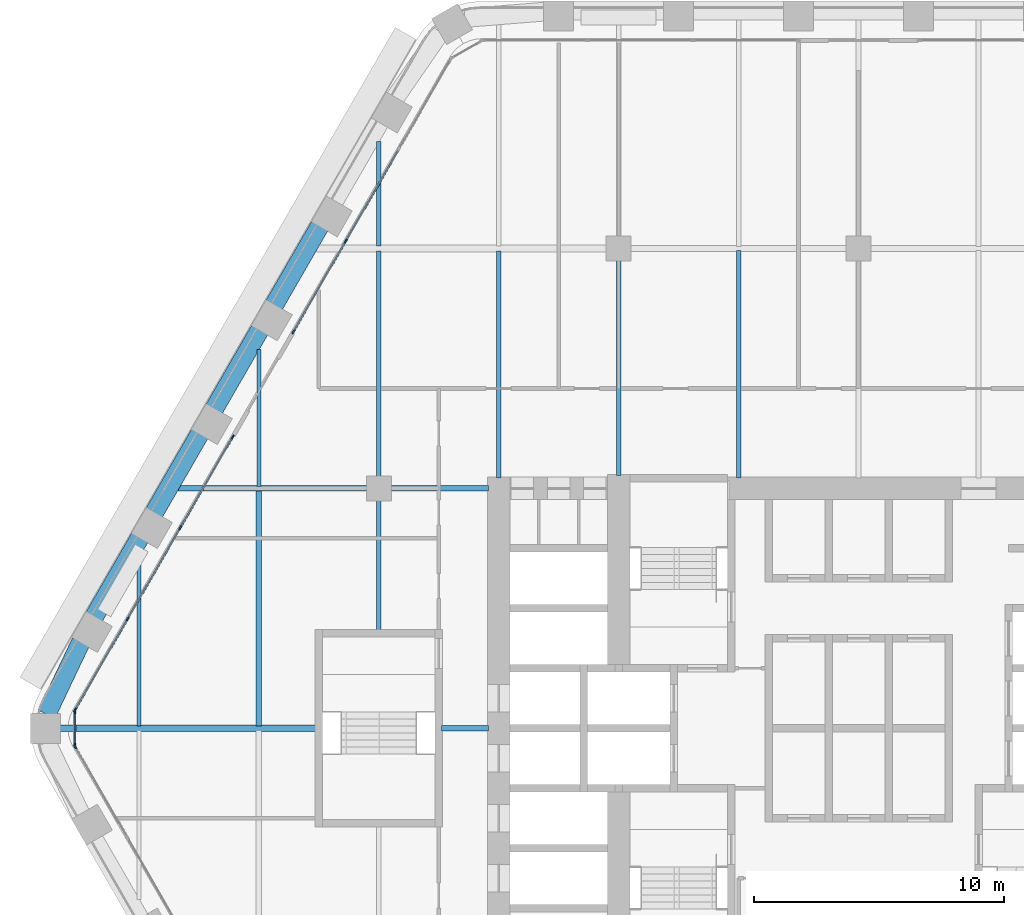
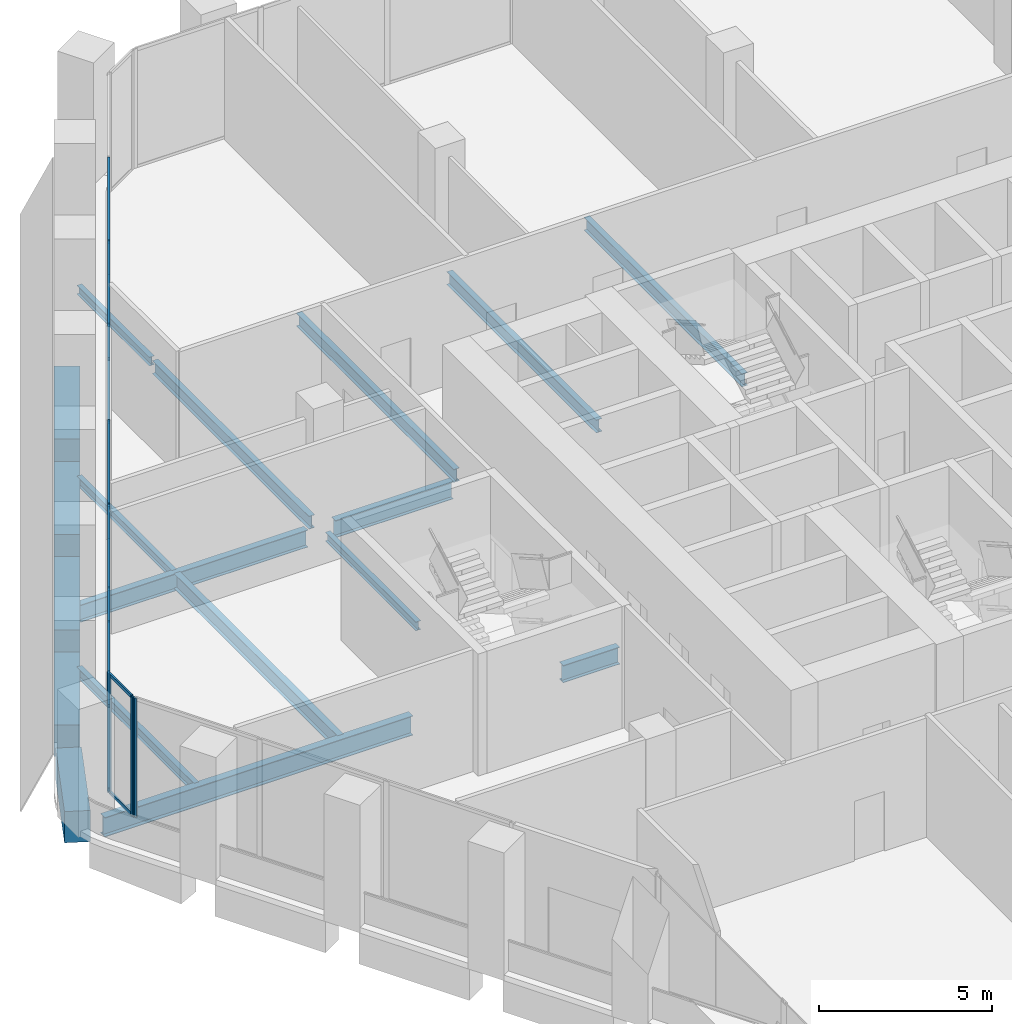
# One storey, part 7 of 24: 21 members, 18 beams, 4 elements without a shape of their own.
"""IFC4 building model written with IfcOpenShell, lengths in metres."""

from ifc_helpers import new_model, si_unit, direction, frame, origin, origin_2d, place, context, subcontext, project, spatial, rectangle, i_section, extrude, material, material_profile, profile_set, type_object, element, aggregate, save


model = new_model("IFC4")

# Units and contexts
model_context = context("Model", 3, precision=1e-05, world=origin(), true_north=direction((0.0, 1.0)))
body_context = subcontext(model_context, "Body", "Model", "MODEL_VIEW")
ifc_project = project(units=[si_unit("LENGTHUNIT", "METRE"), si_unit("AREAUNIT", "SQUARE_METRE"), si_unit("VOLUMEUNIT", "CUBIC_METRE"), si_unit("PLANEANGLEUNIT", "RADIAN"), si_unit("MASSUNIT", "GRAM", prefix="KILO")], contexts=[model_context])

# Site, building, storey
site_placement = place(None, origin())
site = spatial("IfcSite", under=ifc_project, at=site_placement, CompositionType="ELEMENT")
building_placement = place(site_placement, origin())
building = spatial("IfcBuilding", under=site, at=building_placement, Name="Kolab Exchange Tower", CompositionType="ELEMENT")
storey_placement = place(building_placement, frame((0.0, 0.0, 86.89990234375)))
storey = spatial("IfcBuildingStorey", under=building, at=storey_placement, Name="L16", CompositionType="ELEMENT", Elevation=86.89990234375)

# Beams
ifc_material_1 = material(Name="Steel S355", Category="steel")
ifc_material_profile_1 = material_profile(ifc_material_1, i_section(OverallWidth=0.1650390625, OverallDepth=0.31005859375, WebThickness=0.005859375, FlangeThickness=0.009765625, at=origin_2d()), Name="W310X39")
ifc_profile_set_1 = profile_set([ifc_material_profile_1], Name="Steel S355")
beam_type_1 = type_object("IfcBeamType", Name="FLOOR BEAM W310X39", PredefinedType="BEAM", material=ifc_profile_set_1)
beam_1_placement = place(storey_placement, frame((-24.0, 9.674072265625, -0.35498046875), z_axis=(0.0, 1.0, 0.0), x_axis=(-1.0, 0.0, 0.0)))
element("IfcBeam", 1, at=beam_1_placement, inside=storey, type_object=beam_type_1, Name="beam/L16/fr/005", PredefinedType="BEAM", context=body_context, shape_type="SweptSolid", body=[
    extrude(i_section(OverallWidth=0.1650390625, OverallDepth=0.31005859375, WebThickness=0.005859375, FlangeThickness=0.009765625, at=origin_2d()), origin(), (0.0, 0.0, 1.0), 5.49365234375),
])
beam_2_placement = place(storey_placement, frame((-19.199951171875, 3.909912109375, -0.35498046875), z_axis=(0.0, 1.0, 0.0), x_axis=(-1.0, 0.0, 0.0)))
element("IfcBeam", 2, at=beam_2_placement, inside=storey, type_object=beam_type_1, Name="beam/L16/fr/009", PredefinedType="BEAM", context=body_context, shape_type="SweptSolid", body=[
    extrude(i_section(OverallWidth=0.1650390625, OverallDepth=0.31005859375, WebThickness=0.005859375, FlangeThickness=0.009765625, at=origin_2d()), origin(), (0.0, 0.0, 1.0), 5.22998046875),
])
beam_3_placement = place(storey_placement, frame((-19.199951171875, 19.29345703125, -0.35498046875), z_axis=(0.0, 1.0, 0.0), x_axis=(-1.0, 0.0, 0.0)))
element("IfcBeam", 3, at=beam_3_placement, inside=storey, type_object=beam_type_1, Name="beam/L16/fr/011", PredefinedType="BEAM", context=body_context, shape_type="SweptSolid", body=[
    extrude(i_section(OverallWidth=0.1650390625, OverallDepth=0.31005859375, WebThickness=0.005859375, FlangeThickness=0.009765625, at=origin_2d()), origin(), (0.0, 0.0, 1.0), 4.18798828125),
])
ifc_material_profile_2 = material_profile(ifc_material_1, i_section(OverallWidth=0.1708984375, OverallDepth=0.35498046875, WebThickness=0.007080078125, FlangeThickness=0.01171875, at=origin_2d()), Name="W360X51")
ifc_profile_set_2 = profile_set([ifc_material_profile_2], Name="Steel S355")
beam_type_2 = type_object("IfcBeamType", Name="FLOOR BEAM W360X51", PredefinedType="BEAM", material=ifc_profile_set_2)
beam_4_placement = place(storey_placement, frame((-28.800048828125, 0.0869140625, -0.37744140625), z_axis=(0.0, 1.0, 0.0), x_axis=(-1.0, 0.0, 0.0)))
element("IfcBeam", 4, at=beam_4_placement, inside=storey, type_object=beam_type_2, Name="beam/L16/fr/001", PredefinedType="BEAM", context=body_context, shape_type="SweptSolid", body=[
    extrude(i_section(OverallWidth=0.1708984375, OverallDepth=0.35498046875, WebThickness=0.007080078125, FlangeThickness=0.01171875, at=origin_2d()), origin(), (0.0, 0.0, 1.0), 6.766845703125),
])
ifc_material_profile_3 = material_profile(ifc_material_1, i_section(OverallWidth=0.18994140625, OverallDepth=0.45703125, WebThickness=0.009033203125, FlangeThickness=0.014404296875, at=origin_2d()), Name="W460X74")
ifc_profile_set_3 = profile_set([ifc_material_profile_3], Name="Steel S355")
beam_type_3 = type_object("IfcBeamType", Name="FLOOR BEAM W460X74", PredefinedType="BEAM", material=ifc_profile_set_3)
beam_5_placement = place(storey_placement, frame((-19.199951171875, 10.06005859375, -0.428466796875), z_axis=(0.0, 1.0, 0.0), x_axis=(-1.0, 0.0, 0.0)))
element("IfcBeam", 5, at=beam_5_placement, inside=storey, type_object=beam_type_3, Name="beam/L16/fr/010", PredefinedType="BEAM", context=body_context, shape_type="SweptSolid", body=[
    extrude(i_section(OverallWidth=0.18994140625, OverallDepth=0.45703125, WebThickness=0.009033203125, FlangeThickness=0.014404296875, at=origin_2d()), origin(), (0.0, 0.0, 1.0), 9.04638671875),
])
beam_6_placement = place(storey_placement, frame((-14.39990234375, 10.010009765625, -0.428466796875), z_axis=(0.0, 1.0, 0.0), x_axis=(-1.0, 0.0, 0.0)))
element("IfcBeam", 6, at=beam_6_placement, inside=storey, type_object=beam_type_3, Name="beam/L16/fr/014", PredefinedType="BEAM", context=body_context, shape_type="SweptSolid", body=[
    extrude(i_section(OverallWidth=0.18994140625, OverallDepth=0.45703125, WebThickness=0.009033203125, FlangeThickness=0.014404296875, at=origin_2d()), origin(), (0.0, 0.0, 1.0), 9.096435546875),
])
beam_7_placement = place(storey_placement, frame((-9.60009765625, 10.110107421875, -0.428466796875), z_axis=(0.0, 1.0, 0.0), x_axis=(-1.0, 0.0, 0.0)))
element("IfcBeam", 7, at=beam_7_placement, inside=storey, type_object=beam_type_3, Name="beam/L16/fr/018", PredefinedType="BEAM", context=body_context, shape_type="SweptSolid", body=[
    extrude(i_section(OverallWidth=0.18994140625, OverallDepth=0.45703125, WebThickness=0.009033203125, FlangeThickness=0.014404296875, at=origin_2d()), origin(), (0.0, 0.0, 1.0), 8.6298828125),
])
beam_8_placement = place(storey_placement, frame((-4.800048828125, 10.010009765625, -0.428466796875), z_axis=(0.0, 1.0, 0.0), x_axis=(-1.0, 0.0, 0.0)))
element("IfcBeam", 8, at=beam_8_placement, inside=storey, type_object=beam_type_3, Name="beam/L16/fr/022", PredefinedType="BEAM", context=body_context, shape_type="SweptSolid", body=[
    extrude(i_section(OverallWidth=0.18994140625, OverallDepth=0.45703125, WebThickness=0.009033203125, FlangeThickness=0.014404296875, at=origin_2d()), origin(), (0.0, 0.0, 1.0), 9.115966796875),
])
ifc_material_profile_4 = material_profile(ifc_material_1, i_section(OverallWidth=0.208984375, OverallDepth=0.532958984375, WebThickness=0.01025390625, FlangeThickness=0.015625, at=origin_2d()), Name="W530X92")
ifc_profile_set_4 = profile_set([ifc_material_profile_4], Name="Steel S355")
beam_type_4 = type_object("IfcBeamType", Name="FLOOR BEAM W530X92", PredefinedType="BEAM", material=ifc_profile_set_4)
beam_9_placement = place(storey_placement, frame((-24.0, 0.0869140625, -0.46630859375), z_axis=(0.0, 1.0, 0.0), x_axis=(-1.0, 0.0, 0.0)))
element("IfcBeam", 9, at=beam_9_placement, inside=storey, type_object=beam_type_4, Name="beam/L16/fr/004", PredefinedType="BEAM", context=body_context, shape_type="SweptSolid", body=[
    extrude(i_section(OverallWidth=0.208984375, OverallDepth=0.532958984375, WebThickness=0.01025390625, FlangeThickness=0.015625, at=origin_2d()), origin(), (0.0, 0.0, 1.0), 9.43896484375),
])
ifc_material_profile_5 = material_profile(ifc_material_1, i_section(OverallWidth=0.22802734375, OverallDepth=0.60791015625, WebThickness=0.01123046875, FlangeThickness=0.017333984375, at=origin_2d()), Name="W610X113")
ifc_profile_set_5 = profile_set([ifc_material_profile_5], Name="Steel S355")
beam_type_5 = type_object("IfcBeamType", Name="FLOOR GIRDER W610X113", PredefinedType="BEAM", material=ifc_profile_set_5)
beam_10_placement = place(storey_placement, frame((-27.2314453125, 9.60009765625, -0.50390625), z_axis=(1.0, 0.0, 0.0), x_axis=(0.0, 1.0, 0.0)))
element("IfcBeam", 10, at=beam_10_placement, inside=storey, type_object=beam_type_5, Name="beam/L16/gd/002", PredefinedType="BEAM", context=body_context, shape_type="SweptSolid", body=[
    extrude(i_section(OverallWidth=0.22802734375, OverallDepth=0.60791015625, WebThickness=0.01123046875, FlangeThickness=0.017333984375, at=origin_2d()), origin(), (0.0, 0.0, 1.0), 7.571533203125),
])
beam_11_placement = place(storey_placement, frame((-18.739990234375, 9.60009765625, -0.50390625), z_axis=(1.0, 0.0, 0.0), x_axis=(0.0, 1.0, 0.0)))
element("IfcBeam", 11, at=beam_11_placement, inside=storey, type_object=beam_type_5, Name="beam/L16/gd/006", PredefinedType="BEAM", context=body_context, shape_type="SweptSolid", body=[
    extrude(i_section(OverallWidth=0.22802734375, OverallDepth=0.60791015625, WebThickness=0.01123046875, FlangeThickness=0.017333984375, at=origin_2d()), origin(), (0.0, 0.0, 1.0), 3.929931640625),
])
beam_12_placement = place(storey_placement, frame((-16.68994140625, 0.0, -0.50390625), z_axis=(1.0, 0.0, 0.0), x_axis=(0.0, 1.0, 0.0)))
element("IfcBeam", 12, at=beam_12_placement, inside=storey, type_object=beam_type_5, Name="beam/L16/gd/007", PredefinedType="BEAM", context=body_context, shape_type="SweptSolid", body=[
    extrude(i_section(OverallWidth=0.22802734375, OverallDepth=0.60791015625, WebThickness=0.01123046875, FlangeThickness=0.017333984375, at=origin_2d()), origin(), (0.0, 0.0, 1.0), 1.8798828125),
])
ifc_material_profile_6 = material_profile(ifc_material_1, i_section(OverallWidth=0.25390625, OverallDepth=0.68408203125, WebThickness=0.012451171875, FlangeThickness=0.018798828125, at=origin_2d()), Name="W690X140")
ifc_profile_set_6 = profile_set([ifc_material_profile_6], Name="Steel S355")
beam_type_6 = type_object("IfcBeamType", Name="FLOOR GIRDER W690X140", PredefinedType="BEAM", material=ifc_profile_set_6)
beam_13_placement = place(storey_placement, frame((-31.975830078125, 0.0, -0.5419921875), z_axis=(1.0, 0.0, 0.0), x_axis=(0.0, 1.0, 0.0)))
element("IfcBeam", 13, at=beam_13_placement, inside=storey, type_object=beam_type_6, Name="beam/L16/gd/000", PredefinedType="BEAM", context=body_context, shape_type="SweptSolid", body=[
    extrude(i_section(OverallWidth=0.25390625, OverallDepth=0.68408203125, WebThickness=0.012451171875, FlangeThickness=0.018798828125, at=origin_2d()), origin(), (0.0, 0.0, 1.0), 10.265869140625),
])
ifc_material_2 = material(Name="Concrete C70/85", Category="concrete")
ifc_material_profile_7 = material_profile(ifc_material_2, rectangle(XDim=0.75, YDim=1.10009765625, at=origin_2d()), Name="RC750X1100")
ifc_profile_set_7 = profile_set([ifc_material_profile_7], Name="Concrete C70/85")
beam_type_7 = type_object("IfcBeamType", Name="SPANDREL BEAM 750X1100 C70/85", PredefinedType="BEAM", material=ifc_profile_set_7)
beam_14_placement = place(storey_placement, frame((-32.492919921875, 0.56396484375, -0.75), z_axis=(0.429041292193, 0.903284877319, 0.0), x_axis=(-0.903284877319, 0.429041292193, 0.0)))
element("IfcBeam", 14, at=beam_14_placement, inside=storey, type_object=beam_type_7, Name="beam/L16/sp/F6-01", PredefinedType="BEAM", context=body_context, shape_type="SweptSolid", body=[
    extrude(rectangle(XDim=0.75, YDim=1.10009765625, at=origin_2d()), origin(), (0.0, 0.0, 1.0), 3.208251953125),
])
for number, where, z_axis, x_axis, name in (
    (15, (-30.59521484375, 4.454345703125, -0.75), (0.500013413428, 0.866017659399, 0.0), (-0.866017659399, 0.500013413428, 0.0), "beam/L16/sp/F6-02"),
    (16, (-28.1953125, 8.611328125, -0.75), (0.500013413428, 0.866017659399, 0.0), (-0.866017659399, 0.500013413428, 0.0), "beam/L16/sp/F6-03"),
):
    element("IfcBeam", number, at=place(storey_placement, frame(where, z_axis=z_axis, x_axis=x_axis)), inside=storey, type_object=beam_type_7, Name=name, PredefinedType="BEAM", context=body_context, shape_type="SweptSolid", body=[
        extrude(rectangle(XDim=0.75, YDim=1.10009765625, at=origin_2d()), origin(), (0.0, 0.0, 1.0), 3.68017578125),
    ])
beam_15_placement = place(storey_placement, frame((-25.795166015625, 12.768310546875, -0.75), z_axis=(0.499963655964, 0.866046386007, 0.0), x_axis=(-0.866046386007, 0.499963655964, 0.0)))
element("IfcBeam", 17, at=beam_15_placement, inside=storey, type_object=beam_type_7, Name="beam/L16/sp/F6-04", PredefinedType="BEAM", context=body_context, shape_type="SweptSolid", body=[
    extrude(rectangle(XDim=0.75, YDim=1.10009765625, at=origin_2d()), origin(), (0.0, 0.0, 1.0), 3.679931640625),
])
beam_16_placement = place(storey_placement, frame((-23.395263671875, 16.925048828125, -0.75), z_axis=(0.500013413428, 0.866017659399, 0.0), x_axis=(-0.866017659399, 0.500013413428, 0.0)))
element("IfcBeam", 18, at=beam_16_placement, inside=storey, type_object=beam_type_7, Name="beam/L16/sp/F6-05", PredefinedType="BEAM", context=body_context, shape_type="SweptSolid", body=[
    extrude(rectangle(XDim=0.75, YDim=1.10009765625, at=origin_2d()), origin(), (0.0, 0.0, 1.0), 3.68017578125),
])

# Curtain wall, member
ifc_material_3 = material(Name="Aluminium EN AW-6063 T6", Category="aluminium")
curtain_wall_type = type_object("IfcCurtainWallType", Name="UNITISED LOWER MID ZONE CURTAIN WALL", PredefinedType="NOTDEFINED", material=ifc_material_3)
curtain_wall_1_placement = place(storey_placement, origin())
curtain_wall_1 = element("IfcCurtainWall", 19, at=curtain_wall_1_placement, inside=storey, type_object=curtain_wall_type, Name="cw/L16/F5-2", PredefinedType="NOTDEFINED")
ifc_material_profile_8 = material_profile(ifc_material_3, rectangle(XDim=0.06005859375, YDim=0.179931640625, at=origin_2d()), Name="RECT 60X180")
ifc_profile_set_8 = profile_set([ifc_material_profile_8], Name="Aluminium EN AW-6063 T6")
member_type_1 = type_object("IfcMemberType", Name="UNITISED LOWER MID ZONE MULLION 60 X 180", PredefinedType="MULLION", material=ifc_profile_set_8)
member_1_placement = place(storey_placement, frame((-31.3505859375, -0.736083984375, 0.0), z_axis=(0.0, 0.0, 1.0), x_axis=(-0.866025427826, -0.499999958358, 0.0)))
member_1 = element("IfcMember", 20, at=member_1_placement, type_object=member_type_1, Name="CW2 mullion 4", PredefinedType="MULLION", context=body_context, shape_type="SweptSolid", body=[
    extrude(rectangle(XDim=0.06005859375, YDim=0.179931640625, at=origin_2d()), origin(), (0.0, 0.0, 1.0), 4.2001953125),
])
aggregate(curtain_wall_1, [member_1])

# Curtain wall, members
curtain_wall_2_placement = place(storey_placement, origin())
curtain_wall_2 = element("IfcCurtainWall", 21, at=curtain_wall_2_placement, inside=storey, type_object=curtain_wall_type, Name="cw/L16/F6-1", PredefinedType="NOTDEFINED")
member_2_placement = place(storey_placement, frame((-31.3505859375, 0.736083984375, 0.0), z_axis=(0.0, 0.0, 1.0), x_axis=(-0.866025427826, 0.499999958358, 0.0)))
member_2 = element("IfcMember", 22, at=member_2_placement, type_object=member_type_1, Name="CW2 mullion 1", PredefinedType="MULLION", context=body_context, shape_type="SweptSolid", body=[
    extrude(rectangle(XDim=0.06005859375, YDim=0.179931640625, at=origin_2d()), origin(), (0.0, 0.0, 1.0), 4.2001953125),
])
member_3_placement = place(storey_placement, frame((-29.25439453125, 4.366943359375, 0.0), z_axis=(0.0, 0.0, 1.0), x_axis=(-0.866025427826, 0.499999958358, 0.0)))
member_3 = element("IfcMember", 23, at=member_3_placement, type_object=member_type_1, Name="CW2 mullion 2", PredefinedType="MULLION", context=body_context, shape_type="SweptSolid", body=[
    extrude(rectangle(XDim=0.06005859375, YDim=0.179931640625, at=origin_2d()), origin(), (0.0, 0.0, 1.0), 4.2001953125),
])
member_4_placement = place(storey_placement, frame((-27.14306640625, 8.02392578125, 0.0), z_axis=(0.0, 0.0, 1.0), x_axis=(-0.866025427826, 0.499999958358, 0.0)))
member_4 = element("IfcMember", 24, at=member_4_placement, type_object=member_type_1, Name="CW2 mullion 3", PredefinedType="MULLION", context=body_context, shape_type="SweptSolid", body=[
    extrude(rectangle(XDim=0.06005859375, YDim=0.179931640625, at=origin_2d()), origin(), (0.0, 0.0, 1.0), 4.2001953125),
])
member_5_placement = place(storey_placement, frame((-25.046630859375, 11.65478515625, 0.0), z_axis=(0.0, 0.0, 1.0), x_axis=(-0.866025427826, 0.499999958358, 0.0)))
member_5 = element("IfcMember", 25, at=member_5_placement, type_object=member_type_1, Name="CW2 mullion 4", PredefinedType="MULLION", context=body_context, shape_type="SweptSolid", body=[
    extrude(rectangle(XDim=0.06005859375, YDim=0.179931640625, at=origin_2d()), origin(), (0.0, 0.0, 1.0), 4.2001953125),
])

curtain_wall_3_placement = place(storey_placement, origin())
curtain_wall_3 = element("IfcCurtainWall", 26, at=curtain_wall_3_placement, inside=storey, type_object=curtain_wall_type, Name="cw/L16/F6-2", PredefinedType="NOTDEFINED")
member_6_placement = place(storey_placement, frame((-22.61669921875, 15.86376953125, 0.0), z_axis=(0.0, 0.0, 1.0), x_axis=(-0.866025393644, 0.500000017564, 0.0)))
member_6 = element("IfcMember", 27, at=member_6_placement, type_object=member_type_1, Name="CW2 mullion 1", PredefinedType="MULLION", context=body_context, shape_type="SweptSolid", body=[
    extrude(rectangle(XDim=0.06005859375, YDim=0.179931640625, at=origin_2d()), origin(), (0.0, 0.0, 1.0), 4.2001953125),
])
member_7_placement = place(storey_placement, frame((-20.520263671875, 19.49462890625, 0.0), z_axis=(0.0, 0.0, 1.0), x_axis=(-0.866025393644, 0.500000017564, 0.0)))
member_7 = element("IfcMember", 28, at=member_7_placement, type_object=member_type_1, Name="CW2 mullion 2", PredefinedType="MULLION", context=body_context, shape_type="SweptSolid", body=[
    extrude(rectangle(XDim=0.06005859375, YDim=0.179931640625, at=origin_2d()), origin(), (0.0, 0.0, 1.0), 4.2001953125),
])

curtain_wall_4_placement = place(storey_placement, origin())
curtain_wall_4 = element("IfcCurtainWall", 29, at=curtain_wall_4_placement, inside=storey, type_object=curtain_wall_type, Name="cw/L16/F5F6-corner", PredefinedType="NOTDEFINED")
member_8_placement = place(storey_placement, frame((-31.36572265625, -0.679931640625, 0.0), z_axis=(0.0, 0.0, 1.0), x_axis=(-1.0, 0.0, 0.0)))
member_8 = element("IfcMember", 30, at=member_8_placement, type_object=member_type_1, Name="CW2 mullion 1", PredefinedType="MULLION", context=body_context, shape_type="SweptSolid", body=[
    extrude(rectangle(XDim=0.06005859375, YDim=0.179931640625, at=origin_2d()), origin(), (0.0, 0.0, 1.0), 4.2001953125),
])
member_9_placement = place(storey_placement, frame((-31.36572265625, 0.679931640625, 0.0), z_axis=(0.0, 0.0, 1.0), x_axis=(-1.0, 0.0, 0.0)))
member_9 = element("IfcMember", 31, at=member_9_placement, type_object=member_type_1, Name="CW2 mullion 2", PredefinedType="MULLION", context=body_context, shape_type="SweptSolid", body=[
    extrude(rectangle(XDim=0.06005859375, YDim=0.179931640625, at=origin_2d()), origin(), (0.0, 0.0, 1.0), 4.2001953125),
])

# Member
ifc_material_profile_9 = material_profile(ifc_material_3, rectangle(XDim=0.06005859375, YDim=0.1201171875, at=origin_2d()), Name="RECT 60X120")
ifc_profile_set_9 = profile_set([ifc_material_profile_9], Name="Aluminium EN AW-6063 T6")
member_type_2 = type_object("IfcMemberType", Name="UNITISED LOWER MID ZONE TRANSOM 60 X 120", PredefinedType="USERDEFINED", material=ifc_profile_set_9)
member_10_placement = place(storey_placement, frame((-31.335693359375, 0.761962890625, 0.030029296875), z_axis=(0.500027577057, 0.866009481578, 0.0), x_axis=(-0.866009481578, 0.500027577057, 0.0)))
member_10 = element("IfcMember", 32, at=member_10_placement, type_object=member_type_2, Name="CW2 transom 1.1", ObjectType="TRANSOM", PredefinedType="USERDEFINED", context=body_context, shape_type="SweptSolid", body=[
    extrude(rectangle(XDim=0.06005859375, YDim=0.1201171875, at=origin_2d()), origin(), (0.0, 0.0, 1.0), 4.132568359375),
])

member_11_placement = place(storey_placement, frame((-31.335693359375, 0.761962890625, 4.170166015625), z_axis=(0.500027577057, 0.866009481578, 0.0), x_axis=(-0.866009481578, 0.500027577057, 0.0)))
member_11 = element("IfcMember", 33, at=member_11_placement, type_object=member_type_2, Name="CW2 transom 1.2", ObjectType="TRANSOM", PredefinedType="USERDEFINED", context=body_context, shape_type="SweptSolid", body=[
    extrude(rectangle(XDim=0.06005859375, YDim=0.1201171875, at=origin_2d()), origin(), (0.0, 0.0, 1.0), 4.132568359375),
])

member_12_placement = place(storey_placement, frame((-29.2392578125, 4.392822265625, 0.030029296875), z_axis=(0.49999322259, 0.866029316688, 0.0), x_axis=(-0.866029316688, 0.49999322259, 0.0)))
member_12 = element("IfcMember", 34, at=member_12_placement, type_object=member_type_2, Name="CW2 transom 2.1", ObjectType="TRANSOM", PredefinedType="USERDEFINED", context=body_context, shape_type="SweptSolid", body=[
    extrude(rectangle(XDim=0.06005859375, YDim=0.1201171875, at=origin_2d()), origin(), (0.0, 0.0, 1.0), 4.16259765625),
])

member_13_placement = place(storey_placement, frame((-29.2392578125, 4.392822265625, 4.170166015625), z_axis=(0.49999322259, 0.866029316688, 0.0), x_axis=(-0.866029316688, 0.49999322259, 0.0)))
member_13 = element("IfcMember", 35, at=member_13_placement, type_object=member_type_2, Name="CW2 transom 2.2", ObjectType="TRANSOM", PredefinedType="USERDEFINED", context=body_context, shape_type="SweptSolid", body=[
    extrude(rectangle(XDim=0.06005859375, YDim=0.1201171875, at=origin_2d()), origin(), (0.0, 0.0, 1.0), 4.16259765625),
])

member_14_placement = place(storey_placement, frame((-27.1279296875, 8.0498046875, 0.030029296875), z_axis=(0.499957688808, 0.866049830784, 0.0), x_axis=(-0.866049830784, 0.499957688808, 0.0)))
member_14 = element("IfcMember", 36, at=member_14_placement, type_object=member_type_2, Name="CW2 transom 3.1", ObjectType="TRANSOM", PredefinedType="USERDEFINED", context=body_context, shape_type="SweptSolid", body=[
    extrude(rectangle(XDim=0.06005859375, YDim=0.1201171875, at=origin_2d()), origin(), (0.0, 0.0, 1.0), 4.132568359375),
])

member_15_placement = place(storey_placement, frame((-27.1279296875, 8.0498046875, 4.170166015625), z_axis=(0.499957688808, 0.866049830784, 0.0), x_axis=(-0.866049830784, 0.499957688808, 0.0)))
member_15 = element("IfcMember", 37, at=member_15_placement, type_object=member_type_2, Name="CW2 transom 3.2", ObjectType="TRANSOM", PredefinedType="USERDEFINED", context=body_context, shape_type="SweptSolid", body=[
    extrude(rectangle(XDim=0.06005859375, YDim=0.1201171875, at=origin_2d()), origin(), (0.0, 0.0, 1.0), 4.132568359375),
])

aggregate(curtain_wall_2, [member_2, member_3, member_4, member_5, member_10, member_11, member_12, member_13, member_14, member_15])

member_16_placement = place(storey_placement, frame((-22.6015625, 15.8896484375, 0.030029296875), z_axis=(0.499957688808, 0.866049830784, 0.0), x_axis=(-0.866049830784, 0.499957688808, 0.0)))
member_16 = element("IfcMember", 38, at=member_16_placement, type_object=member_type_2, Name="CW2 transom 1.1", ObjectType="TRANSOM", PredefinedType="USERDEFINED", context=body_context, shape_type="SweptSolid", body=[
    extrude(rectangle(XDim=0.06005859375, YDim=0.1201171875, at=origin_2d()), origin(), (0.0, 0.0, 1.0), 4.132568359375),
])

member_17_placement = place(storey_placement, frame((-22.6015625, 15.8896484375, 4.170166015625), z_axis=(0.499957688808, 0.866049830784, 0.0), x_axis=(-0.866049830784, 0.499957688808, 0.0)))
member_17 = element("IfcMember", 39, at=member_17_placement, type_object=member_type_2, Name="CW2 transom 1.2", ObjectType="TRANSOM", PredefinedType="USERDEFINED", context=body_context, shape_type="SweptSolid", body=[
    extrude(rectangle(XDim=0.06005859375, YDim=0.1201171875, at=origin_2d()), origin(), (0.0, 0.0, 1.0), 4.132568359375),
])

member_18_placement = place(storey_placement, frame((-20.50537109375, 19.5205078125, 0.030029296875), z_axis=(0.49999322259, 0.866029316688, 0.0), x_axis=(-0.866029316688, 0.49999322259, 0.0)))
member_18 = element("IfcMember", 40, at=member_18_placement, type_object=member_type_2, Name="CW2 transom 2.1", ObjectType="TRANSOM", PredefinedType="USERDEFINED", context=body_context, shape_type="SweptSolid", body=[
    extrude(rectangle(XDim=0.06005859375, YDim=0.1201171875, at=origin_2d()), origin(), (0.0, 0.0, 1.0), 4.16259765625),
])

member_19_placement = place(storey_placement, frame((-20.50537109375, 19.5205078125, 4.170166015625), z_axis=(0.49999322259, 0.866029316688, 0.0), x_axis=(-0.866029316688, 0.49999322259, 0.0)))
member_19 = element("IfcMember", 41, at=member_19_placement, type_object=member_type_2, Name="CW2 transom 2.2", ObjectType="TRANSOM", PredefinedType="USERDEFINED", context=body_context, shape_type="SweptSolid", body=[
    extrude(rectangle(XDim=0.06005859375, YDim=0.1201171875, at=origin_2d()), origin(), (0.0, 0.0, 1.0), 4.16259765625),
])

aggregate(curtain_wall_3, [member_6, member_7, member_16, member_17, member_18, member_19])

member_20_placement = place(storey_placement, frame((-31.36572265625, -0.64990234375, 0.030029296875), z_axis=(0.0, 1.0, 0.0), x_axis=(-1.0, 0.0, 0.0)))
member_20 = element("IfcMember", 42, at=member_20_placement, type_object=member_type_2, Name="CW2 transom 1.1", ObjectType="TRANSOM", PredefinedType="USERDEFINED", context=body_context, shape_type="SweptSolid", body=[
    extrude(rectangle(XDim=0.06005859375, YDim=0.1201171875, at=origin_2d()), origin(), (0.0, 0.0, 1.0), 1.2998046875),
])

member_21_placement = place(storey_placement, frame((-31.36572265625, -0.64990234375, 4.170166015625), z_axis=(0.0, 1.0, 0.0), x_axis=(-1.0, 0.0, 0.0)))
member_21 = element("IfcMember", 43, at=member_21_placement, type_object=member_type_2, Name="CW2 transom 1.2", ObjectType="TRANSOM", PredefinedType="USERDEFINED", context=body_context, shape_type="SweptSolid", body=[
    extrude(rectangle(XDim=0.06005859375, YDim=0.1201171875, at=origin_2d()), origin(), (0.0, 0.0, 1.0), 1.2998046875),
])

aggregate(curtain_wall_4, [member_8, member_9, member_20, member_21])

save(model, "model.ifc")
